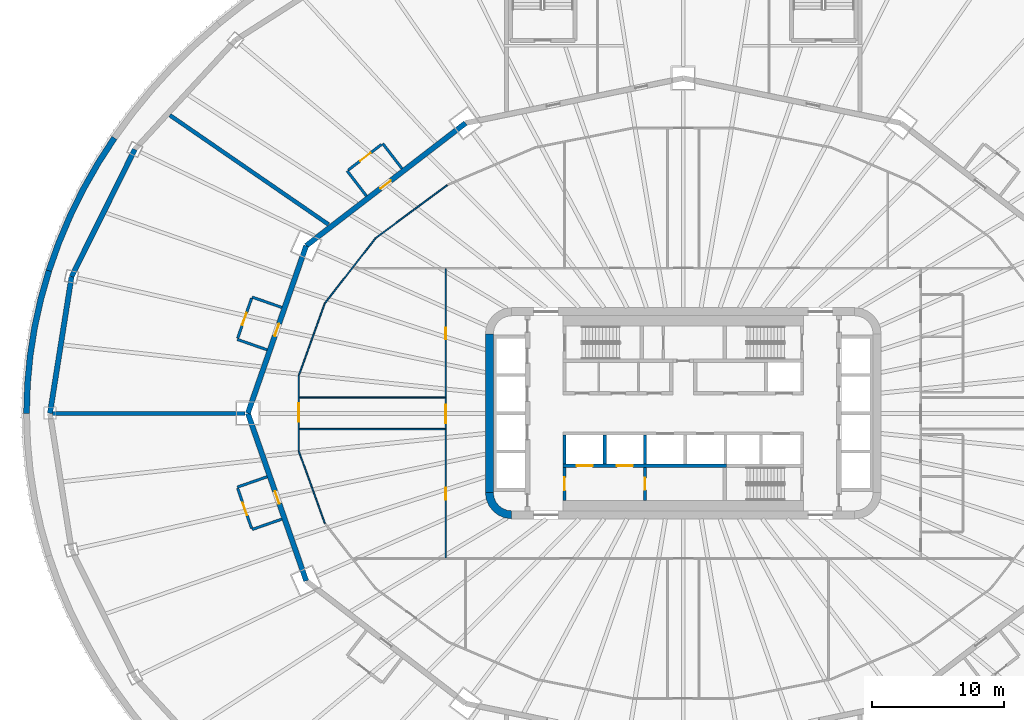
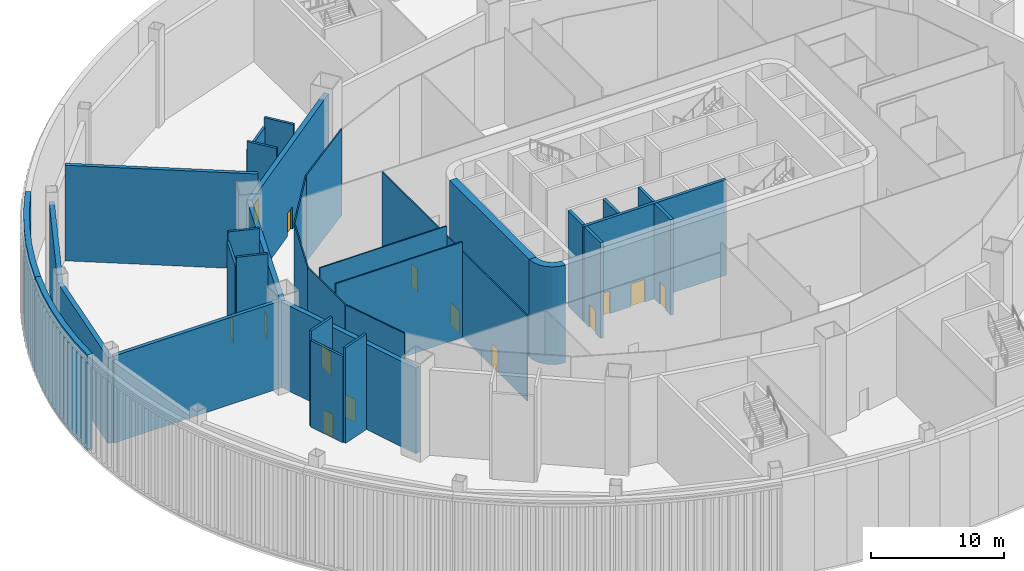
# One storey, part 8 of 35: 34 walls, 14 doors, 14 openings.
"""IFC4 building model written with IfcOpenShell, lengths in metres."""

from ifc_helpers import new_model, si_unit, direction, frame, frame_2d, origin, place, context, subcontext, project, spatial, polyline, rectangle, outline, extrude, material, layer, layer_set, type_object, element, fill, save


model = new_model("IFC4")

# Units and contexts
model_context = context("Model", 3, precision=1e-05, world=origin(), true_north=direction((0.0, 1.0)))
body_context = subcontext(model_context, "Body", "Model", "MODEL_VIEW")
ifc_project = project(units=[si_unit("LENGTHUNIT", "METRE"), si_unit("AREAUNIT", "SQUARE_METRE"), si_unit("VOLUMEUNIT", "CUBIC_METRE"), si_unit("PLANEANGLEUNIT", "RADIAN"), si_unit("MASSUNIT", "GRAM", prefix="KILO")], contexts=[model_context])

# Site, building, storey
site_placement = place(None, origin())
site = spatial("IfcSite", under=ifc_project, at=site_placement, CompositionType="ELEMENT")
building_placement = place(site_placement, origin())
building = spatial("IfcBuilding", under=site, at=building_placement, Name="Sahrelin Media Tower", CompositionType="ELEMENT")
storey_placement = place(building_placement, frame((0.0, 0.0, 17.0)))
storey = spatial("IfcBuildingStorey", under=building, at=storey_placement, Name="L02", CompositionType="ELEMENT", Elevation=17.0)

# Walls
ifc_material_1 = material(Name="Concrete C60/75", Category="concrete")
ifc_layer_1 = layer(ifc_material_1, 0.60009765625)
ifc_layer_set_1 = layer_set([ifc_layer_1], Name="Core wall 600")
wall_type_1 = type_object("IfcWallType", Name="Core wall 600", PredefinedType="SHEAR", material=ifc_layer_set_1)
wall_1_placement = place(storey_placement, frame((-14.699951171875, -6.0, 0.0), z_axis=(0.0, 0.0, 1.0), x_axis=(0.0, 1.0, 0.0)))
element("IfcWall", 1, at=wall_1_placement, inside=storey, type_object=wall_type_1, Name="Core wall W L02", PredefinedType="SHEAR", context=body_context, shape_type="SweptSolid", body=[
    extrude(rectangle(XDim=12.0, YDim=0.60009765625, at=frame_2d((6.0, 0.0))), origin(), (0.0, 0.0, 1.0), 9.0),
])
placement = place(storey_placement, origin())
element("IfcWall", 2, at=placement, inside=storey, type_object=wall_type_1, Name="Core wall corner SW L02", PredefinedType="SHEAR", context=body_context, shape_type="SweptSolid", body=[
    extrude(outline(polyline([(-13.0, -8.0), (-13.0, -7.394775390625), (-13.361083984375, -7.347412109375), (-13.697509765625, -7.2080078125), (-13.986328125, -6.986328125), (-14.2080078125, -6.697509765625), (-14.347412109375, -6.361083984375), (-14.394775390625, -6.0), (-15.0, -6.0), (-14.931884765625, -6.517578125), (-14.732177734375, -7.0), (-14.414306640625, -7.414306640625), (-14.0, -7.732177734375), (-13.517578125, -7.931884765625), (-13.0, -8.0)])), origin(), (0.0, 0.0, 1.0), 9.0),
])
ifc_material_2 = material(Name="Fire-rated gypsum board partition")
ifc_layer_2 = layer(ifc_material_2, 0.199951171875)
ifc_layer_set_2 = layer_set([ifc_layer_2], Name="Fire-rated partition 200")
wall_type_2 = type_object("IfcWallType", Name="Fire-rated partition 200", PredefinedType="PARTITIONING", material=ifc_layer_set_2)
for number, where, z_axis, x_axis, name in (
    (3, (-21.314208984375, 18.5439453125, 0.0), (0.0, 0.0, 1.0), (-0.609946706972, 0.792442436177, 0.0), "Wall"),
    (4, (-24.008544921875, 16.47021484375, 0.0), (0.0, 0.0, 1.0), (-0.609946706972, 0.792442436177, 0.0), "Wall"),
):
    element("IfcWall", number, at=place(storey_placement, frame(where, z_axis=z_axis, x_axis=x_axis)), inside=storey, type_object=wall_type_2, Name=name, PredefinedType="PARTITIONING", context=body_context, shape_type="SweptSolid", body=[
        extrude(rectangle(XDim=2.39990234375, YDim=0.199951171875, at=frame_2d((1.199951171875, 0.0))), origin(), (0.0, 0.0, 1.0), 8.800048828125),
    ])

# Wall, opening, door
wall_3_placement = place(storey_placement, frame((-22.857421875, 20.384765625, 0.0), z_axis=(0.0, 0.0, 1.0), x_axis=(-0.792476481098, -0.609902473274, 0.0)))
wall_3 = element("IfcWall", 5, at=wall_3_placement, inside=storey, type_object=wall_type_2, Name="Wall", PredefinedType="PARTITIONING", context=body_context, shape_type="SweptSolid", body=[
    extrude(rectangle(XDim=3.199951171875, YDim=0.199951171875, at=frame_2d((1.60009765625, 0.0))), origin(), (0.0, 0.0, 1.0), 7.9453125),
])
opening_1_placement = place(wall_3_placement, frame((1.050048828125, 0.0, 0.0)))
opening_1 = element("IfcOpeningElement", 6, at=opening_1_placement, cuts=wall_3, Name="Opening L02-D63", PredefinedType="OPENING", context=body_context, shape_type="SweptSolid", body=[
    extrude(rectangle(XDim=1.0, YDim=2.10009765625, at=frame_2d((0.5, 1.050048828125))), frame((0.0, 0.10009765625, 0.0), z_axis=(0.0, -1.0, 0.0), x_axis=(1.0, 0.0, 0.0)), (0.0, 0.0, 1.0), 0.199951171875),
])
ifc_material_3 = material(Name="Steel fire door leaf", Category="steel")
door_type_1 = type_object("IfcDoorType", Name="Fire door 1000 x 2100 EI 60", OperationType="NOTDEFINED", PredefinedType="DOOR", material=ifc_material_3)
door_1_placement = place(opening_1_placement, origin())
door_1 = element("IfcDoor", 7, at=door_1_placement, inside=storey, type_object=door_type_1, Name="Fire door", OperationType="SINGLE_SWING_LEFT", OverallHeight=2.10009765625, OverallWidth=1.0, PredefinedType="DOOR", context=body_context, shape_type="SweptSolid", body=[
    extrude(rectangle(XDim=1.0, YDim=2.10009765625, at=frame_2d((0.5, 1.050048828125))), frame((0.0, 0.02490234375, 0.0), z_axis=(0.0, -1.0, 0.0), x_axis=(1.0, 0.0, 0.0)), (0.0, 0.0, 1.0), 0.050048828125),
])
fill(opening_1, door_1)

# Walls
for number, where, z_axis, x_axis, name in (
    (8, (-30.41943359375, 8.021240234375, 0.0), (0.0, 0.0, 1.0), (-0.94440893349, 0.328773122904, 0.0), "Wall"),
    (9, (-31.537109375, 4.810302734375, 0.0), (0.0, 0.0, 1.0), (-0.94440893349, 0.328773122904, 0.0), "Wall"),
):
    element("IfcWall", number, at=place(storey_placement, frame(where, z_axis=z_axis, x_axis=x_axis)), inside=storey, type_object=wall_type_2, Name=name, PredefinedType="PARTITIONING", context=body_context, shape_type="SweptSolid", body=[
        extrude(rectangle(XDim=2.39990234375, YDim=0.199951171875, at=frame_2d((1.199951171875, 0.0))), origin(), (0.0, 0.0, 1.0), 8.800048828125),
    ])

# Wall, opening, door
wall_4_placement = place(storey_placement, frame((-32.718994140625, 8.7158203125, 0.0), z_axis=(0.0, 0.0, 1.0), x_axis=(-0.328742544754, -0.944419577978, 0.0)))
wall_4 = element("IfcWall", 10, at=wall_4_placement, inside=storey, type_object=wall_type_2, Name="Wall", PredefinedType="PARTITIONING", context=body_context, shape_type="SweptSolid", body=[
    extrude(rectangle(XDim=3.2001953125, YDim=0.199951171875, at=frame_2d((1.60009765625, 0.0))), origin(), (0.0, 0.0, 1.0), 7.9453125),
])
opening_2_placement = place(wall_4_placement, frame((1.14990234375, 0.0, 0.0)))
opening_2 = element("IfcOpeningElement", 11, at=opening_2_placement, cuts=wall_4, Name="Opening L02-D65", PredefinedType="OPENING", context=body_context, shape_type="SweptSolid", body=[
    extrude(rectangle(XDim=1.0, YDim=2.10009765625, at=frame_2d((0.5, 1.050048828125))), frame((0.0, 0.10009765625, 0.0), z_axis=(0.0, -1.0, 0.0), x_axis=(1.0, 0.0, 0.0)), (0.0, 0.0, 1.0), 0.199951171875),
])
door_2_placement = place(opening_2_placement, origin())
door_2 = element("IfcDoor", 12, at=door_2_placement, inside=storey, type_object=door_type_1, Name="Fire door", OperationType="SINGLE_SWING_RIGHT", OverallHeight=2.10009765625, OverallWidth=1.0, PredefinedType="DOOR", context=body_context, shape_type="SweptSolid", body=[
    extrude(rectangle(XDim=1.0, YDim=2.10009765625, at=frame_2d((0.5, 1.050048828125))), frame((0.0, 0.02490234375, 0.0), z_axis=(0.0, -1.0, 0.0), x_axis=(1.0, 0.0, 0.0)), (0.0, 0.0, 1.0), 0.050048828125),
])
fill(opening_2, door_2)

# Walls
for number, where, z_axis, x_axis, name in (
    (13, (-31.537109375, -4.810302734375, 0.0), (0.0, 0.0, 1.0), (-0.94440893349, -0.328773122904, 0.0), "Wall"),
    (14, (-30.41943359375, -8.021240234375, 0.0), (0.0, 0.0, 1.0), (-0.94440893349, -0.328773122904, 0.0), "Wall"),
):
    element("IfcWall", number, at=place(storey_placement, frame(where, z_axis=z_axis, x_axis=x_axis)), inside=storey, type_object=wall_type_2, Name=name, PredefinedType="PARTITIONING", context=body_context, shape_type="SweptSolid", body=[
        extrude(rectangle(XDim=2.39990234375, YDim=0.199951171875, at=frame_2d((1.199951171875, 0.0))), origin(), (0.0, 0.0, 1.0), 8.800048828125),
    ])

# Wall, opening, door
wall_5_placement = place(storey_placement, frame((-33.77099609375, -5.693603515625, 0.0), z_axis=(0.0, 0.0, 1.0), x_axis=(0.328742544754, -0.944419577978, 0.0)))
wall_5 = element("IfcWall", 15, at=wall_5_placement, inside=storey, type_object=wall_type_2, Name="Wall", PredefinedType="PARTITIONING", context=body_context, shape_type="SweptSolid", body=[
    extrude(rectangle(XDim=3.2001953125, YDim=0.199951171875, at=frame_2d((1.60009765625, 0.0))), origin(), (0.0, 0.0, 1.0), 7.9453125),
])
opening_3_placement = place(wall_5_placement, frame((1.14990234375, 0.0, 0.0)))
opening_3 = element("IfcOpeningElement", 16, at=opening_3_placement, cuts=wall_5, Name="Opening L02-D67", PredefinedType="OPENING", context=body_context, shape_type="SweptSolid", body=[
    extrude(rectangle(XDim=1.0, YDim=2.10009765625, at=frame_2d((0.5, 1.050048828125))), frame((0.0, 0.10009765625, 0.0), z_axis=(0.0, -1.0, 0.0), x_axis=(1.0, 0.0, 0.0)), (0.0, 0.0, 1.0), 0.199951171875),
])
door_3_placement = place(opening_3_placement, origin())
door_3 = element("IfcDoor", 17, at=door_3_placement, inside=storey, type_object=door_type_1, Name="Fire door", OperationType="SINGLE_SWING_RIGHT", OverallHeight=2.10009765625, OverallWidth=1.0, PredefinedType="DOOR", context=body_context, shape_type="SweptSolid", body=[
    extrude(rectangle(XDim=1.0, YDim=2.10009765625, at=frame_2d((0.5, 1.050048828125))), frame((0.0, 0.02490234375, 0.0), z_axis=(0.0, -1.0, 0.0), x_axis=(1.0, 0.0, 0.0)), (0.0, 0.0, 1.0), 0.050048828125),
])
fill(opening_3, door_3)

# Walls
ifc_layer_3 = layer(ifc_material_2, 0.300048828125)
ifc_layer_set_3 = layer_set([ifc_layer_3], Name="Fire-rated partition 300")
wall_type_3 = type_object("IfcWallType", Name="Fire-rated partition 300", PredefinedType="PARTITIONING", material=ifc_layer_set_3)
wall_6_placement = place(storey_placement, frame((-26.887939453125, 14.31201171875, 0.0), z_axis=(0.0, 0.0, 1.0), x_axis=(-0.823646474485, 0.567103592889, 0.0)))
element("IfcWall", 18, at=wall_6_placement, inside=storey, type_object=wall_type_3, Name="Wall", PredefinedType="PARTITIONING", context=body_context, shape_type="SweptSolid", body=[
    extrude(rectangle(XDim=14.598388671875, YDim=0.300048828125, at=frame_2d((7.29931640625, 0.0))), origin(), (0.0, 0.0, 1.0), 8.800048828125),
])
wall_7_placement = place(storey_placement, frame((-33.199951171875, 0.0, 0.0), z_axis=(0.0, 0.0, 1.0), x_axis=(-1.0, 0.0, 0.0)))
element("IfcWall", 19, at=wall_7_placement, inside=storey, type_object=wall_type_3, Name="Wall", PredefinedType="PARTITIONING", context=body_context, shape_type="SweptSolid", body=[
    extrude(rectangle(XDim=14.59765625, YDim=0.300048828125, at=frame_2d((7.298828125, 0.0))), origin(), (0.0, 0.0, 1.0), 8.02587890625),
])
ifc_layer_4 = layer(ifc_material_2, 0.39990234375)
ifc_layer_set_4 = layer_set([ifc_layer_4], Name="Fire-rated partition 400")
wall_type_4 = type_object("IfcWallType", Name="Fire-rated partition 400", PredefinedType="PARTITIONING", material=ifc_layer_set_4)
wall_8_placement = place(storey_placement, frame((-41.569091796875, 20.0, 0.0), z_axis=(0.0, 0.0, 1.0), x_axis=(-0.445118441463, -0.895471704226, 0.0)))
element("IfcWall", 20, at=wall_8_placement, inside=storey, type_object=wall_type_4, Name="Wall", PredefinedType="PARTITIONING", context=body_context, shape_type="SweptSolid", body=[
    extrude(rectangle(XDim=10.7734375, YDim=0.39990234375, at=frame_2d((5.38671875, 0.0))), origin(), (0.0, 0.0, 1.0), 7.876953125),
])
wall_9_placement = place(storey_placement, frame((-46.364501953125, 10.352783203125, 0.0), z_axis=(0.0, 0.0, 1.0), x_axis=(-0.156041518224, -0.987750497135, 0.0)))
element("IfcWall", 21, at=wall_9_placement, inside=storey, type_object=wall_type_4, Name="Wall", PredefinedType="PARTITIONING", context=body_context, shape_type="SweptSolid", body=[
    extrude(rectangle(XDim=10.481201171875, YDim=0.39990234375, at=frame_2d((5.24072265625, 0.0))), origin(), (0.0, 0.0, 1.0), 7.876953125),
])

# Wall, opening, door
wall_10_placement = place(storey_placement, frame((-16.5, 21.9970703125, 0.0), z_axis=(0.0, 0.0, 1.0), x_axis=(-0.792443539308, -0.609945273782, 0.0)))
wall_10 = element("IfcWall", 22, at=wall_10_placement, inside=storey, type_object=wall_type_4, Name="Wall", PredefinedType="PARTITIONING", context=body_context, shape_type="SweptSolid", body=[
    extrude(rectangle(XDim=15.242431640625, YDim=0.39990234375, at=frame_2d((7.62109375, 0.0))), origin(), (0.0, 0.0, 1.0), 7.8681640625),
])
opening_4_placement = place(wall_10_placement, frame((7.14990234375, 0.0, 0.0)))
opening_4 = element("IfcOpeningElement", 23, at=opening_4_placement, cuts=wall_10, Name="Opening L02-D62", PredefinedType="OPENING", context=body_context, shape_type="SweptSolid", body=[
    extrude(rectangle(XDim=1.0, YDim=2.10009765625, at=frame_2d((0.5, 1.050048828125))), frame((0.0, 0.199951171875, 0.0), z_axis=(0.0, -1.0, 0.0), x_axis=(1.0, 0.0, 0.0)), (0.0, 0.0, 1.0), 0.39990234375),
])
door_4_placement = place(opening_4_placement, origin())
door_4 = element("IfcDoor", 24, at=door_4_placement, inside=storey, type_object=door_type_1, Name="Fire door", OperationType="SINGLE_SWING_RIGHT", OverallHeight=2.10009765625, OverallWidth=1.0, PredefinedType="DOOR", context=body_context, shape_type="SweptSolid", body=[
    extrude(rectangle(XDim=1.0, YDim=2.10009765625, at=frame_2d((0.5, 1.050048828125))), frame((0.0, 0.02490234375, 0.0), z_axis=(0.0, -1.0, 0.0), x_axis=(1.0, 0.0, 0.0)), (0.0, 0.0, 1.0), 0.050048828125),
])
fill(opening_4, door_4)

wall_11_placement = place(storey_placement, frame((-28.578857421875, 12.699951171875, 0.0), z_axis=(0.0, 0.0, 1.0), x_axis=(-0.328770590399, -0.944409815117, 0.0)))
wall_11 = element("IfcWall", 25, at=wall_11_placement, inside=storey, type_object=wall_type_4, Name="Wall", PredefinedType="PARTITIONING", context=body_context, shape_type="SweptSolid", body=[
    extrude(rectangle(XDim=13.447509765625, YDim=0.39990234375, at=frame_2d((6.7236328125, 0.0))), origin(), (0.0, 0.0, 1.0), 7.8681640625),
])
opening_5_placement = place(wall_11_placement, frame((6.25, 0.0, 0.0)))
opening_5 = element("IfcOpeningElement", 26, at=opening_5_placement, cuts=wall_11, Name="Opening L02-D64", PredefinedType="OPENING", context=body_context, shape_type="SweptSolid", body=[
    extrude(rectangle(XDim=1.0, YDim=2.10009765625, at=frame_2d((0.5, 1.050048828125))), frame((0.0, 0.199951171875, 0.0), z_axis=(0.0, -1.0, 0.0), x_axis=(1.0, 0.0, 0.0)), (0.0, 0.0, 1.0), 0.39990234375),
])
door_5_placement = place(opening_5_placement, origin())
door_5 = element("IfcDoor", 27, at=door_5_placement, inside=storey, type_object=door_type_1, Name="Fire door", OperationType="SINGLE_SWING_RIGHT", OverallHeight=2.10009765625, OverallWidth=1.0, PredefinedType="DOOR", context=body_context, shape_type="SweptSolid", body=[
    extrude(rectangle(XDim=1.0, YDim=2.10009765625, at=frame_2d((0.5, 1.050048828125))), frame((0.0, 0.02490234375, 0.0), z_axis=(0.0, -1.0, 0.0), x_axis=(1.0, 0.0, 0.0)), (0.0, 0.0, 1.0), 0.050048828125),
])
fill(opening_5, door_5)

wall_12_placement = place(storey_placement, frame((-33.0, 0.0, 0.0), z_axis=(0.0, 0.0, 1.0), x_axis=(0.328770590399, -0.944409815117, 0.0)))
wall_12 = element("IfcWall", 28, at=wall_12_placement, inside=storey, type_object=wall_type_4, Name="Wall", PredefinedType="PARTITIONING", context=body_context, shape_type="SweptSolid", body=[
    extrude(rectangle(XDim=13.447509765625, YDim=0.39990234375, at=frame_2d((6.7236328125, 0.0))), origin(), (0.0, 0.0, 1.0), 7.8681640625),
])
opening_6_placement = place(wall_12_placement, frame((6.25, 0.0, 0.0)))
opening_6 = element("IfcOpeningElement", 29, at=opening_6_placement, cuts=wall_12, Name="Opening L02-D66", PredefinedType="OPENING", context=body_context, shape_type="SweptSolid", body=[
    extrude(rectangle(XDim=1.0, YDim=2.10009765625, at=frame_2d((0.5, 1.050048828125))), frame((0.0, 0.199951171875, 0.0), z_axis=(0.0, -1.0, 0.0), x_axis=(1.0, 0.0, 0.0)), (0.0, 0.0, 1.0), 0.39990234375),
])
door_6_placement = place(opening_6_placement, origin())
door_6 = element("IfcDoor", 30, at=door_6_placement, inside=storey, type_object=door_type_1, Name="Fire door", OperationType="SINGLE_SWING_RIGHT", OverallHeight=2.10009765625, OverallWidth=1.0, PredefinedType="DOOR", context=body_context, shape_type="SweptSolid", body=[
    extrude(rectangle(XDim=1.0, YDim=2.10009765625, at=frame_2d((0.5, 1.050048828125))), frame((0.0, 0.02490234375, 0.0), z_axis=(0.0, -1.0, 0.0), x_axis=(1.0, 0.0, 0.0)), (0.0, 0.0, 1.0), 0.050048828125),
])
fill(opening_6, door_6)

ifc_layer_5 = layer(ifc_material_2, 0.25)
ifc_layer_set_5 = layer_set([ifc_layer_5], Name="Firefighting lobby wall 250")
wall_type_5 = type_object("IfcWallType", Name="Firefighting lobby wall 250", PredefinedType="PARTITIONING", material=ifc_layer_set_5)
wall_13_placement = place(storey_placement, frame((-9.0, -6.60009765625, 0.0), z_axis=(0.0, 0.0, 1.0), x_axis=(0.0, 1.0, 0.0)))
wall_13 = element("IfcWall", 31, at=wall_13_placement, inside=storey, type_object=wall_type_5, Name="Core wall", PredefinedType="PARTITIONING", context=body_context, shape_type="SweptSolid", body=[
    extrude(rectangle(XDim=2.5, YDim=0.25, at=frame_2d((1.25, 0.0))), origin(), (0.0, 0.0, 1.0), 8.800048828125),
])
opening_7_placement = place(wall_13_placement, frame((0.75, 0.0, 0.0)))
opening_7 = element("IfcOpeningElement", 32, at=opening_7_placement, cuts=wall_13, Name="Opening L02-D04", PredefinedType="OPENING", context=body_context, shape_type="SweptSolid", body=[
    extrude(rectangle(XDim=1.0, YDim=2.10009765625, at=frame_2d((0.5, 1.050048828125))), frame((0.0, 0.125, 0.0), z_axis=(0.0, -1.0, 0.0), x_axis=(1.0, 0.0, 0.0)), (0.0, 0.0, 1.0), 0.25),
])
door_type_2 = type_object("IfcDoorType", Name="Firefighting lobby door 1000 x 2100 EI 120", OperationType="NOTDEFINED", PredefinedType="DOOR", material=ifc_material_3)
door_7_placement = place(opening_7_placement, origin())
door_7 = element("IfcDoor", 33, at=door_7_placement, inside=storey, type_object=door_type_2, Name="Firefighting lobby door", OperationType="SINGLE_SWING_LEFT", OverallHeight=2.10009765625, OverallWidth=1.0, PredefinedType="DOOR", context=body_context, shape_type="SweptSolid", body=[
    extrude(rectangle(XDim=1.0, YDim=2.10009765625, at=frame_2d((0.5, 1.050048828125))), frame((0.0, 0.02490234375, 0.0), z_axis=(0.0, -1.0, 0.0), x_axis=(1.0, 0.0, 0.0)), (0.0, 0.0, 1.0), 0.050048828125),
])
fill(opening_7, door_7)

wall_14_placement = place(storey_placement, frame((-2.89990234375, -6.60009765625, 0.0), z_axis=(0.0, 0.0, 1.0), x_axis=(0.0, 1.0, 0.0)))
wall_14 = element("IfcWall", 34, at=wall_14_placement, inside=storey, type_object=wall_type_5, Name="Core wall", PredefinedType="PARTITIONING", context=body_context, shape_type="SweptSolid", body=[
    extrude(rectangle(XDim=2.5, YDim=0.25, at=frame_2d((1.25, 0.0))), origin(), (0.0, 0.0, 1.0), 8.800048828125),
])
opening_8_placement = place(wall_14_placement, frame((0.800048828125, 0.0, 0.0)))
opening_8 = element("IfcOpeningElement", 35, at=opening_8_placement, cuts=wall_14, Name="Opening L02-D05", PredefinedType="OPENING", context=body_context, shape_type="SweptSolid", body=[
    extrude(rectangle(XDim=0.89990234375, YDim=2.10009765625, at=frame_2d((0.449951171875, 1.050048828125))), frame((0.0, 0.125, 0.0), z_axis=(0.0, -1.0, 0.0), x_axis=(1.0, 0.0, 0.0)), (0.0, 0.0, 1.0), 0.25),
])
door_type_3 = type_object("IfcDoorType", Name="Firefighting lobby door 900 x 2100 EI 120", OperationType="NOTDEFINED", PredefinedType="DOOR", material=ifc_material_3)
door_8_placement = place(opening_8_placement, origin())
door_8 = element("IfcDoor", 36, at=door_8_placement, inside=storey, type_object=door_type_3, Name="Riser door", OperationType="SINGLE_SWING_RIGHT", OverallHeight=2.10009765625, OverallWidth=0.89990234375, PredefinedType="DOOR", context=body_context, shape_type="SweptSolid", body=[
    extrude(rectangle(XDim=0.89990234375, YDim=2.10009765625, at=frame_2d((0.449951171875, 1.050048828125))), frame((0.0, 0.02490234375, 0.0), z_axis=(0.0, -1.0, 0.0), x_axis=(1.0, 0.0, 0.0)), (0.0, 0.0, 1.0), 0.050048828125),
])
fill(opening_8, door_8)

# Wall, openings, doors
ifc_layer_6 = layer(ifc_material_1, 0.25)
ifc_layer_set_6 = layer_set([ifc_layer_6], Name="Lift shaft wall 250")
wall_type_6 = type_object("IfcWallType", Name="Lift shaft wall 250", PredefinedType="SOLIDWALL", material=ifc_layer_set_6)
wall_15_placement = place(storey_placement, frame((-9.125, -3.97509765625, 0.0), z_axis=(0.0, 0.0, 1.0), x_axis=(1.0, 0.0, 0.0)))
wall_15 = element("IfcWall", 37, at=wall_15_placement, inside=storey, type_object=wall_type_6, Name="Lift shaft wall", PredefinedType="SOLIDWALL", context=body_context, shape_type="SweptSolid", body=[
    extrude(rectangle(XDim=12.39990234375, YDim=0.25, at=frame_2d((6.199951171875, 0.0))), origin(), (0.0, 0.0, 1.0), 8.800048828125),
])
opening_9_placement = place(wall_15_placement, frame((1.050048828125, 0.0, 0.0)))
opening_9 = element("IfcOpeningElement", 38, at=opening_9_placement, cuts=wall_15, Name="Opening L02-LD-FF1", PredefinedType="OPENING", context=body_context, shape_type="SweptSolid", body=[
    extrude(rectangle(XDim=1.199951171875, YDim=2.10009765625, at=frame_2d((0.60009765625, 1.050048828125))), frame((0.0, 0.125, 0.0), z_axis=(0.0, -1.0, 0.0), x_axis=(1.0, 0.0, 0.0)), (0.0, 0.0, 1.0), 0.25),
])
opening_10_placement = place(wall_15_placement, frame((4.10009765625, 0.0, 0.0)))
opening_10 = element("IfcOpeningElement", 39, at=opening_10_placement, cuts=wall_15, Name="Opening L02-LD-FF2", PredefinedType="OPENING", context=body_context, shape_type="SweptSolid", body=[
    extrude(rectangle(XDim=1.199951171875, YDim=2.10009765625, at=frame_2d((0.60009765625, 1.050048828125))), frame((0.0, 0.125, 0.0), z_axis=(0.0, -1.0, 0.0), x_axis=(1.0, 0.0, 0.0)), (0.0, 0.0, 1.0), 0.25),
])
ifc_material_4 = material(Name="Stainless steel", Category="steel")
door_type_4 = type_object("IfcDoorType", Name="Lift landing door 1200 x 2100 EI 120", OperationType="DOUBLE_DOOR_SLIDING", PredefinedType="DOOR", material=ifc_material_4)
door_9_placement = place(opening_9_placement, origin())
door_9 = element("IfcDoor", 40, at=door_9_placement, inside=storey, type_object=door_type_4, Name="Lift landing door FF1", OperationType="DOUBLE_DOOR_SLIDING", OverallHeight=2.10009765625, OverallWidth=1.199951171875, PredefinedType="DOOR", context=body_context, shape_type="SweptSolid", body=[
    extrude(rectangle(XDim=1.199951171875, YDim=2.10009765625, at=frame_2d((0.60009765625, 1.050048828125))), frame((0.0, 0.02490234375, 0.0), z_axis=(0.0, -1.0, 0.0), x_axis=(1.0, 0.0, 0.0)), (0.0, 0.0, 1.0), 0.050048828125),
])
fill(opening_9, door_9)
door_10_placement = place(opening_10_placement, origin())
door_10 = element("IfcDoor", 41, at=door_10_placement, inside=storey, type_object=door_type_4, Name="Lift landing door FF2", OperationType="DOUBLE_DOOR_SLIDING", OverallHeight=2.10009765625, OverallWidth=1.199951171875, PredefinedType="DOOR", context=body_context, shape_type="SweptSolid", body=[
    extrude(rectangle(XDim=1.199951171875, YDim=2.10009765625, at=frame_2d((0.60009765625, 1.050048828125))), frame((0.0, 0.02490234375, 0.0), z_axis=(0.0, -1.0, 0.0), x_axis=(1.0, 0.0, 0.0)), (0.0, 0.0, 1.0), 0.050048828125),
])
fill(opening_10, door_10)

# Walls
for number, where, z_axis, x_axis, name in (
    (42, (-9.0, -3.85009765625, 0.0), (0.0, 0.0, 1.0), (0.0, 1.0, 0.0), "Lift shaft wall"),
    (43, (-5.949951171875, -3.85009765625, 0.0), (0.0, 0.0, 1.0), (0.0, 1.0, 0.0), "Lift shaft wall"),
    (44, (-2.89990234375, -3.85009765625, 0.0), (0.0, 0.0, 1.0), (0.0, 1.0, 0.0), "Lift shaft wall"),
):
    element("IfcWall", number, at=place(storey_placement, frame(where, z_axis=z_axis, x_axis=x_axis)), inside=storey, type_object=wall_type_6, Name=name, PredefinedType="SOLIDWALL", context=body_context, shape_type="SweptSolid", body=[
        extrude(rectangle(XDim=2.2001953125, YDim=0.25, at=frame_2d((1.10009765625, 0.0))), origin(), (0.0, 0.0, 1.0), 8.800048828125),
    ])
ifc_material_5 = material(Name="Gypsum board partition")
ifc_layer_7 = layer(ifc_material_5, 0.10009765625)
ifc_layer_set_7 = layer_set([ifc_layer_7], Name="Partition 100")
wall_type_7 = type_object("IfcWallType", Name="Partition 100", PredefinedType="PARTITIONING", material=ifc_layer_set_7)
wall_16_placement = place(storey_placement, frame((-17.897705078125, 17.295166015625, 0.0), z_axis=(0.0, 0.0, 1.0), x_axis=(-0.803261991148, -0.595625867115, 0.0)))
element("IfcWall", 45, at=wall_16_placement, inside=storey, type_object=wall_type_7, Name="Wall", PredefinedType="PARTITIONING", context=body_context, shape_type="SweptSolid", body=[
    extrude(rectangle(XDim=6.756103515625, YDim=0.10009765625, at=frame_2d((3.3779296875, 0.0))), origin(), (0.0, 0.0, 1.0), 7.9453125),
])
wall_17_placement = place(storey_placement, frame((-23.32470703125, 13.27099609375, 0.0), z_axis=(0.0, 0.0, 1.0), x_axis=(-0.614354540541, -0.78903009988, 0.0)))
element("IfcWall", 46, at=wall_17_placement, inside=storey, type_object=wall_type_7, Name="Wall", PredefinedType="PARTITIONING", context=body_context, shape_type="SweptSolid", body=[
    extrude(rectangle(XDim=6.246337890625, YDim=0.10009765625, at=frame_2d((3.123046875, 0.0))), origin(), (0.0, 0.0, 1.0), 7.9453125),
])
wall_18_placement = place(storey_placement, frame((-27.162109375, 8.342529296875, 0.0), z_axis=(0.0, 0.0, 1.0), x_axis=(-0.339837423604, -0.940484197378, 0.0)))
element("IfcWall", 47, at=wall_18_placement, inside=storey, type_object=wall_type_7, Name="Wall", PredefinedType="PARTITIONING", context=body_context, shape_type="SweptSolid", body=[
    extrude(rectangle(XDim=5.844970703125, YDim=0.10009765625, at=frame_2d((2.92236328125, 0.0))), origin(), (0.0, 0.0, 1.0), 7.876953125),
])

# Wall, opening, door
wall_19_placement = place(storey_placement, frame((-29.1484375, 2.845458984375, 0.0), z_axis=(0.0, 0.0, 1.0), x_axis=(0.0, -1.0, 0.0)))
wall_19 = element("IfcWall", 48, at=wall_19_placement, inside=storey, type_object=wall_type_7, Name="Wall", PredefinedType="PARTITIONING", context=body_context, shape_type="SweptSolid", body=[
    extrude(rectangle(XDim=5.69091796875, YDim=0.10009765625, at=frame_2d((2.845458984375, 0.0))), origin(), (0.0, 0.0, 1.0), 7.876953125),
])
opening_11_placement = place(wall_19_placement, frame((2.10009765625, 0.0, 0.0)))
opening_11 = element("IfcOpeningElement", 49, at=opening_11_placement, cuts=wall_19, Name="Opening L02-D52", PredefinedType="OPENING", context=body_context, shape_type="SweptSolid", body=[
    extrude(rectangle(XDim=1.39990234375, YDim=2.10009765625, at=frame_2d((0.699951171875, 1.050048828125))), frame((0.0, 0.050048828125, 0.0), z_axis=(0.0, -1.0, 0.0), x_axis=(1.0, 0.0, 0.0)), (0.0, 0.0, 1.0), 0.10009765625),
])
ifc_material_6 = material(Name="Timber door leaf", Category="wood")
door_type_5 = type_object("IfcDoorType", Name="Single door 1400 x 2100", OperationType="NOTDEFINED", PredefinedType="DOOR", material=ifc_material_6)
door_11_placement = place(opening_11_placement, origin())
door_11 = element("IfcDoor", 50, at=door_11_placement, inside=storey, type_object=door_type_5, Name="Single door", OperationType="SINGLE_SWING_LEFT", OverallHeight=2.10009765625, OverallWidth=1.39990234375, PredefinedType="DOOR", context=body_context, shape_type="SweptSolid", body=[
    extrude(rectangle(XDim=1.39990234375, YDim=2.10009765625, at=frame_2d((0.699951171875, 1.050048828125))), frame((0.0, 0.02490234375, 0.0), z_axis=(0.0, -1.0, 0.0), x_axis=(1.0, 0.0, 0.0)), (0.0, 0.0, 1.0), 0.050048828125),
])
fill(opening_11, door_11)

# Wall
wall_20_placement = place(storey_placement, frame((-29.1484375, -2.845458984375, 0.0), z_axis=(0.0, 0.0, 1.0), x_axis=(0.339837423604, -0.940484197378, 0.0)))
element("IfcWall", 51, at=wall_20_placement, inside=storey, type_object=wall_type_7, Name="Wall", PredefinedType="PARTITIONING", context=body_context, shape_type="SweptSolid", body=[
    extrude(rectangle(XDim=5.844970703125, YDim=0.10009765625, at=frame_2d((2.92236328125, 0.0))), origin(), (0.0, 0.0, 1.0), 7.876953125),
])

# Wall, openings, doors
wall_21_placement = place(storey_placement, frame((-18.0, -10.949951171875, 0.0), z_axis=(0.0, 0.0, 1.0), x_axis=(0.0, 1.0, 0.0)))
wall_21 = element("IfcWall", 52, at=wall_21_placement, inside=storey, type_object=wall_type_7, Name="Wall", PredefinedType="PARTITIONING", context=body_context, shape_type="SweptSolid", body=[
    extrude(rectangle(XDim=21.89990234375, YDim=0.10009765625, at=frame_2d((10.949951171875, 0.0))), origin(), (0.0, 0.0, 1.0), 7.876953125),
])
opening_12_placement = place(wall_21_placement, frame((4.39990234375, 0.0, 0.0)))
opening_12 = element("IfcOpeningElement", 53, at=opening_12_placement, cuts=wall_21, Name="Opening L02-D50", PredefinedType="OPENING", context=body_context, shape_type="SweptSolid", body=[
    extrude(rectangle(XDim=0.89990234375, YDim=2.10009765625, at=frame_2d((0.449951171875, 1.050048828125))), frame((0.0, 0.050048828125, 0.0), z_axis=(0.0, -1.0, 0.0), x_axis=(1.0, 0.0, 0.0)), (0.0, 0.0, 1.0), 0.10009765625),
])
opening_13_placement = place(wall_21_placement, frame((10.199951171875, 0.0, 0.0)))
opening_13 = element("IfcOpeningElement", 54, at=opening_13_placement, cuts=wall_21, Name="Opening L02-D51", PredefinedType="OPENING", context=body_context, shape_type="SweptSolid", body=[
    extrude(rectangle(XDim=1.39990234375, YDim=2.10009765625, at=frame_2d((0.699951171875, 1.050048828125))), frame((0.0, 0.050048828125, 0.0), z_axis=(0.0, -1.0, 0.0), x_axis=(1.0, 0.0, 0.0)), (0.0, 0.0, 1.0), 0.10009765625),
])
opening_14_placement = place(wall_21_placement, frame((16.550048828125, 0.0, 0.0)))
opening_14 = element("IfcOpeningElement", 55, at=opening_14_placement, cuts=wall_21, Name="Opening L02-D53", PredefinedType="OPENING", context=body_context, shape_type="SweptSolid", body=[
    extrude(rectangle(XDim=0.89990234375, YDim=2.10009765625, at=frame_2d((0.449951171875, 1.050048828125))), frame((0.0, 0.050048828125, 0.0), z_axis=(0.0, -1.0, 0.0), x_axis=(1.0, 0.0, 0.0)), (0.0, 0.0, 1.0), 0.10009765625),
])
door_12_placement = place(opening_13_placement, origin())
door_12 = element("IfcDoor", 56, at=door_12_placement, inside=storey, type_object=door_type_5, Name="Single door", OperationType="SINGLE_SWING_LEFT", OverallHeight=2.10009765625, OverallWidth=1.39990234375, PredefinedType="DOOR", context=body_context, shape_type="SweptSolid", body=[
    extrude(rectangle(XDim=1.39990234375, YDim=2.10009765625, at=frame_2d((0.699951171875, 1.050048828125))), frame((0.0, 0.02490234375, 0.0), z_axis=(0.0, -1.0, 0.0), x_axis=(1.0, 0.0, 0.0)), (0.0, 0.0, 1.0), 0.050048828125),
])
fill(opening_13, door_12)
door_type_6 = type_object("IfcDoorType", Name="Single door 900 x 2100", OperationType="NOTDEFINED", PredefinedType="DOOR", material=ifc_material_6)
door_13_placement = place(opening_12_placement, origin())
door_13 = element("IfcDoor", 57, at=door_13_placement, inside=storey, type_object=door_type_6, Name="Single door", OperationType="SINGLE_SWING_LEFT", OverallHeight=2.10009765625, OverallWidth=0.89990234375, PredefinedType="DOOR", context=body_context, shape_type="SweptSolid", body=[
    extrude(rectangle(XDim=0.89990234375, YDim=2.10009765625, at=frame_2d((0.449951171875, 1.050048828125))), frame((0.0, 0.02490234375, 0.0), z_axis=(0.0, -1.0, 0.0), x_axis=(1.0, 0.0, 0.0)), (0.0, 0.0, 1.0), 0.050048828125),
])
fill(opening_12, door_13)
door_14_placement = place(opening_14_placement, origin())
door_14 = element("IfcDoor", 58, at=door_14_placement, inside=storey, type_object=door_type_6, Name="Single door", OperationType="SINGLE_SWING_RIGHT", OverallHeight=2.10009765625, OverallWidth=0.89990234375, PredefinedType="DOOR", context=body_context, shape_type="SweptSolid", body=[
    extrude(rectangle(XDim=0.89990234375, YDim=2.10009765625, at=frame_2d((0.449951171875, 1.050048828125))), frame((0.0, 0.02490234375, 0.0), z_axis=(0.0, -1.0, 0.0), x_axis=(1.0, 0.0, 0.0)), (0.0, 0.0, 1.0), 0.050048828125),
])
fill(opening_14, door_14)

# Walls
for number, where, z_axis, x_axis, name in (
    (59, (-18.050048828125, -1.199951171875, 0.0), (0.0, 0.0, 1.0), (-1.0, 0.0, 0.0), "Wall"),
    (60, (-18.050048828125, 1.199951171875, 0.0), (0.0, 0.0, 1.0), (-1.0, 0.0, 0.0), "Wall"),
):
    element("IfcWall", number, at=place(storey_placement, frame(where, z_axis=z_axis, x_axis=x_axis)), inside=storey, type_object=wall_type_7, Name=name, PredefinedType="PARTITIONING", context=body_context, shape_type="SweptSolid", body=[
        extrude(rectangle(XDim=11.04833984375, YDim=0.10009765625, at=frame_2d((5.524169921875, 0.0))), origin(), (0.0, 0.0, 1.0), 8.800048828125),
    ])
ifc_material_7 = material(Name="Concrete C40/50", Category="concrete")
ifc_layer_8 = layer(ifc_material_7, 0.449951171875)
ifc_layer_set_8 = layer_set([ifc_layer_8], Name="Studio facade wall")
wall_type_8 = type_object("IfcWallType", Name="Studio facade wall", PredefinedType="SOLIDWALL", material=ifc_layer_set_8)
element("IfcWall", 61, at=placement, inside=storey, type_object=wall_type_8, Name="Studio facade wall L02-P10", PredefinedType="SOLIDWALL", context=body_context, shape_type="SweptSolid", body=[
    extrude(outline(polyline([(-43.30126953125, 21.0), (-44.55029296875, 19.067626953125), (-45.67724609375, 17.0830078125), (-46.678955078125, 15.051513671875), (-47.552734375, 12.978759765625), (-48.29638671875, 10.870361328125), (-47.86767578125, 10.733642578125), (-47.133056640625, 12.81640625), (-46.269775390625, 14.864501953125), (-45.27978515625, 16.872314453125), (-44.16552734375, 18.834228515625), (-42.930419921875, 20.7451171875), (-43.30126953125, 21.0)])), origin(), (0.0, 0.0, 1.0), 8.800048828125),
])
element("IfcWall", 62, at=placement, inside=storey, type_object=wall_type_8, Name="Studio facade wall L02-P11", PredefinedType="SOLIDWALL", context=body_context, shape_type="SweptSolid", body=[
    extrude(outline(polyline([(-48.29638671875, 10.870361328125), (-48.907470703125, 8.732421875), (-49.384521484375, 6.5703125), (-49.72607421875, 4.39013671875), (-49.931396484375, 2.197998046875), (-50.0, 0.0), (-49.550048828125, 0.0), (-49.482421875, 2.170166015625), (-49.279541015625, 4.334228515625), (-48.942138671875, 6.48681640625), (-48.47119140625, 8.621826171875), (-47.86767578125, 10.733642578125), (-48.29638671875, 10.870361328125)])), origin(), (0.0, 0.0, 1.0), 8.800048828125),
])

save(model, "model.ifc")
